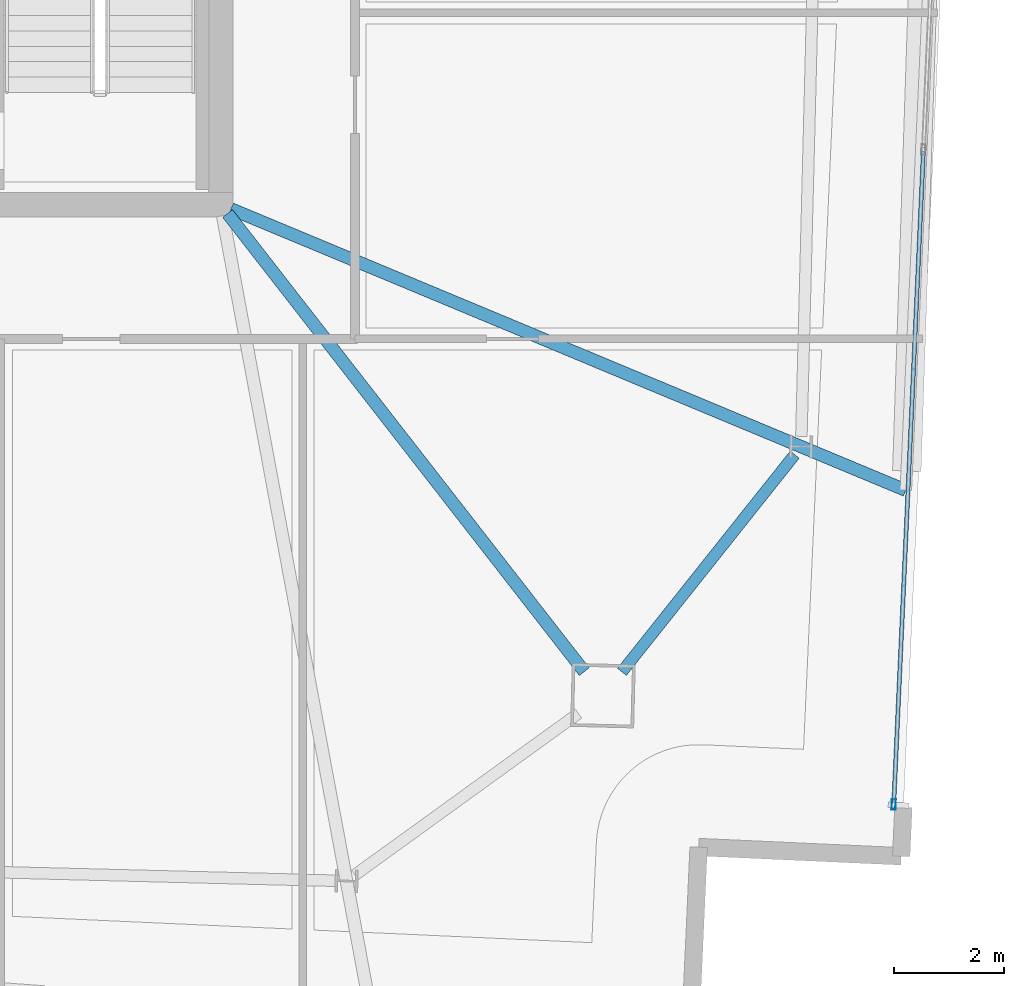
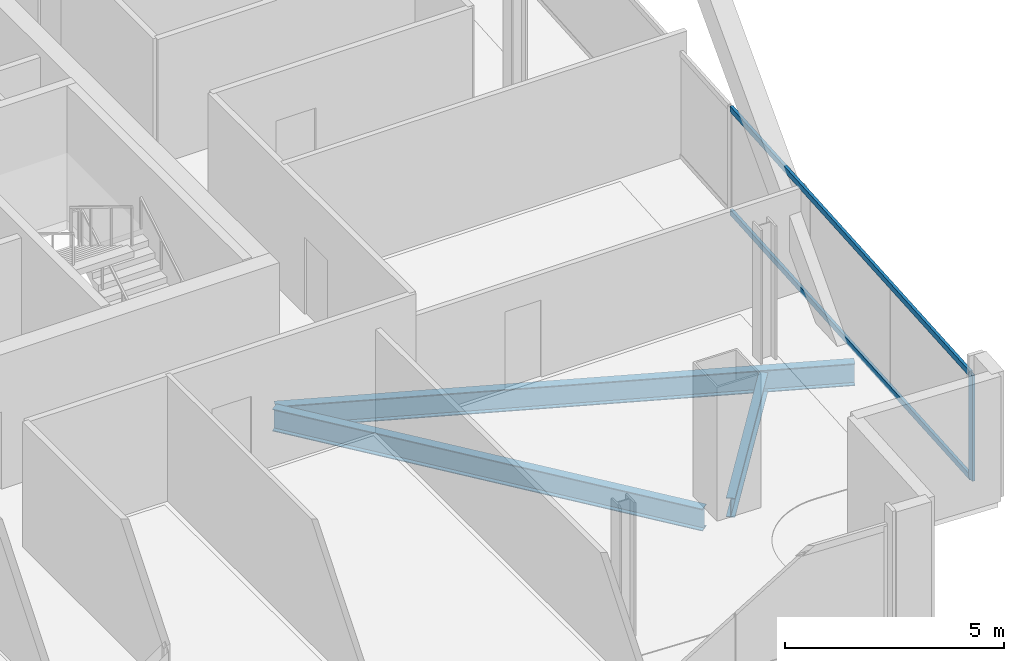
# One storey, part 9 of 26: 3 beams, 3 members, 1 element without a shape of its own.
"""IFC4 building model written with IfcOpenShell, lengths in metres."""

from ifc_helpers import new_model, si_unit, direction, frame, origin, origin_2d, place, context, subcontext, project, spatial, hollow_rectangle, i_section, extrude, material, material_profile, profile_set, type_object, element, aggregate, save


model = new_model("IFC4")

# Units and contexts
model_context = context("Model", 3, precision=1e-05, world=origin(), true_north=direction((0.0, 1.0)))
body_context = subcontext(model_context, "Body", "Model", "MODEL_VIEW")
ifc_project = project(units=[si_unit("LENGTHUNIT", "METRE"), si_unit("AREAUNIT", "SQUARE_METRE"), si_unit("VOLUMEUNIT", "CUBIC_METRE"), si_unit("PLANEANGLEUNIT", "RADIAN"), si_unit("MASSUNIT", "GRAM", prefix="KILO")], contexts=[model_context])

# Site, building, storey
site_placement = place(None, origin())
site = spatial("IfcSite", under=ifc_project, at=site_placement, CompositionType="ELEMENT")
building_placement = place(site_placement, origin())
building = spatial("IfcBuilding", under=site, at=building_placement, Name="Haldenkirk Collegiate Tower", CompositionType="ELEMENT")
storey_placement = place(building_placement, frame((0.0, 0.0, 321.449951171875)))
storey = spatial("IfcBuildingStorey", under=building, at=storey_placement, Name="L81", CompositionType="ELEMENT", Elevation=321.449951171875)

# Beams
ifc_material_1 = material(Name="Steel ASTM A992 Grade 50", Category="steel")
ifc_material_profile_1 = material_profile(ifc_material_1, i_section(OverallWidth=0.22998046875, OverallDepth=0.616943359375, WebThickness=0.01318359375, FlangeThickness=0.022216796875, at=origin_2d()), Name="W24X94")
ifc_profile_set_1 = profile_set([ifc_material_profile_1], Name="Steel ASTM A992 Grade 50")
beam_type_1 = type_object("IfcBeamType", Name="BM-GIRDER-W24X94", PredefinedType="BEAM", material=ifc_profile_set_1)
beam_1_placement = place(storey_placement, frame((51.635009765625, 9.478271484375, -0.568359375), z_axis=(-0.614347328176, 0.789035715518, 0.0), x_axis=(-0.789035715518, -0.614347328176, 0.0)))
element("IfcBeam", 1, at=beam_1_placement, inside=storey, type_object=beam_type_1, Name="L81 primary floor girder 01", PredefinedType="BEAM", context=body_context, shape_type="SweptSolid", body=[
    extrude(i_section(OverallWidth=0.22998046875, OverallDepth=0.616943359375, WebThickness=0.01318359375, FlangeThickness=0.022216796875, at=origin_2d()), origin(), (0.0, 0.0, 1.0), 10.594970703125),
])
beam_2_placement = place(storey_placement, frame((57.502685546875, 12.787841796875, -0.568359375), z_axis=(-0.923005437622, 0.384786904819, 0.0), x_axis=(-0.384786904819, -0.923005437622, 0.0)))
element("IfcBeam", 2, at=beam_2_placement, inside=storey, type_object=beam_type_1, Name="L81 primary floor girder 05", PredefinedType="BEAM", context=body_context, shape_type="SweptSolid", body=[
    extrude(i_section(OverallWidth=0.22998046875, OverallDepth=0.616943359375, WebThickness=0.01318359375, FlangeThickness=0.022216796875, at=origin_2d()), origin(), (0.0, 0.0, 1.0), 13.340576171875),
])
ifc_material_profile_2 = material_profile(ifc_material_1, i_section(OverallWidth=0.2099609375, OverallDepth=0.537109375, WebThickness=0.010986328125, FlangeThickness=0.017333984375, at=origin_2d()), Name="W21X68")
ifc_profile_set_2 = profile_set([ifc_material_profile_2], Name="Steel ASTM A992 Grade 50")
beam_type_2 = type_object("IfcBeamType", Name="BM-SPANDREL-W21X68", PredefinedType="SPANDREL", material=ifc_profile_set_2)
beam_3_placement = place(storey_placement, frame((52.321533203125, 9.474609375, -0.528564453125), z_axis=(0.622700032294, 0.782460650628, 0.0), x_axis=(-0.782460650628, 0.622700032294, 0.0)))
element("IfcBeam", 3, at=beam_3_placement, inside=storey, type_object=beam_type_2, Name="L81 perimeter spandrel beam 01", PredefinedType="SPANDREL", context=body_context, shape_type="SweptSolid", body=[
    extrude(i_section(OverallWidth=0.2099609375, OverallDepth=0.537109375, WebThickness=0.010986328125, FlangeThickness=0.017333984375, at=origin_2d()), origin(), (0.0, 0.0, 1.0), 5.064453125),
])

# Curtain wall, members
ifc_material_2 = material(Name="Anodised architectural bronze aluminium", Category="aluminium")
curtain_wall_type = type_object("IfcCurtainWallType", Name="CW-SYS2-CONCAVE", PredefinedType="USERDEFINED", material=ifc_material_2)
curtain_wall_placement = place(storey_placement, origin())
curtain_wall = element("IfcCurtainWall", 4, at=curtain_wall_placement, inside=storey, type_object=curtain_wall_type, Name="L81 South concave recessed bronze-anodised curtain wall", ObjectType="UNITISED CURTAIN WALL", PredefinedType="USERDEFINED")
ifc_material_profile_3 = material_profile(ifc_material_2, hollow_rectangle(XDim=0.074951171875, YDim=0.18994140625, WallThickness=0.0048828125, at=origin_2d()), Name="CW-MUL-02")
ifc_profile_set_3 = profile_set([ifc_material_profile_3], Name="Anodised architectural bronze aluminium")
member_type_1 = type_object("IfcMemberType", Name="CW-MUL-02", PredefinedType="MULLION", material=ifc_profile_set_3)
member_1_placement = place(storey_placement, frame((57.282470703125, 7.052734375, 0.0), z_axis=(0.0, 0.0, 1.0), x_axis=(0.998970520939, -0.045364063906, 0.0)))
member_1 = element("IfcMember", 5, at=member_1_placement, type_object=member_type_1, Name="CW-02 mullion 4", PredefinedType="MULLION", context=body_context, shape_type="SweptSolid", body=[
    extrude(hollow_rectangle(XDim=0.074951171875, YDim=0.18994140625, WallThickness=0.0048828125, at=origin_2d()), origin(), (0.0, 0.0, 1.0), 2.947998046875),
])
ifc_material_profile_4 = material_profile(ifc_material_2, hollow_rectangle(XDim=0.074951171875, YDim=0.159912109375, WallThickness=0.0048828125, at=origin_2d()), Name="CW-TRN-02")
ifc_profile_set_4 = profile_set([ifc_material_profile_4], Name="Anodised architectural bronze aluminium")
member_type_2 = type_object("IfcMemberType", Name="CW-TRN-02", PredefinedType="USERDEFINED", material=ifc_profile_set_4)
member_2_placement = place(storey_placement, frame((57.823486328125, 18.96533203125, 0.03759765625), z_axis=(-0.045367601937, -0.998970360268, 0.0), x_axis=(0.998970360268, -0.045367601937, 0.0)))
member_2 = element("IfcMember", 6, at=member_2_placement, type_object=member_type_2, Name="CW-02 transom 3.1", ObjectType="TRANSOM", PredefinedType="USERDEFINED", context=body_context, shape_type="SweptSolid", body=[
    extrude(hollow_rectangle(XDim=0.074951171875, YDim=0.159912109375, WallThickness=0.0048828125, at=origin_2d()), origin(), (0.0, 0.0, 1.0), 11.887451171875),
])
member_3_placement = place(storey_placement, frame((57.823486328125, 18.96533203125, 2.91064453125), z_axis=(-0.045367601937, -0.998970360268, 0.0), x_axis=(0.998970360268, -0.045367601937, 0.0)))
member_3 = element("IfcMember", 7, at=member_3_placement, type_object=member_type_2, Name="CW-02 transom 3.2", ObjectType="TRANSOM", PredefinedType="USERDEFINED", context=body_context, shape_type="SweptSolid", body=[
    extrude(hollow_rectangle(XDim=0.074951171875, YDim=0.159912109375, WallThickness=0.0048828125, at=origin_2d()), origin(), (0.0, 0.0, 1.0), 11.887451171875),
])
aggregate(curtain_wall, [member_1, member_2, member_3])

save(model, "model.ifc")
